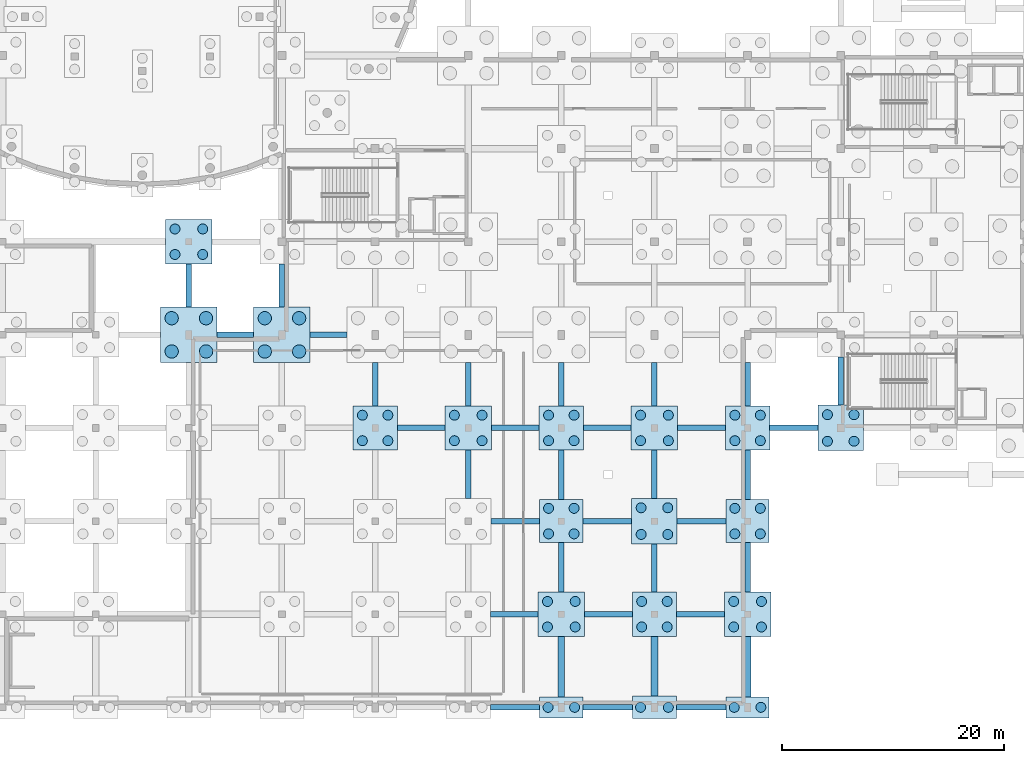
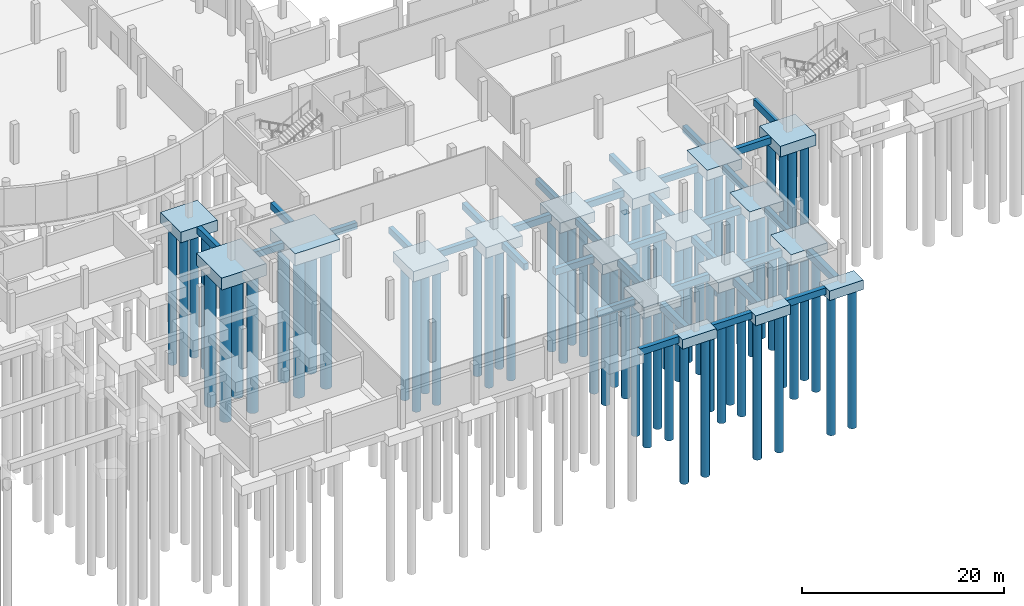
# One storey, part 4 of 24: 66 piles, 52 footings.
"""IFC4 building model written with IfcOpenShell, lengths in metres."""

import ifcopenshell
import ifcopenshell.guid

model = None  # the IFC model being written
_history = None  # IfcOwnerHistory: only IFC2X3 demands one
_inside = {}  # id of a spatial element -> (the spatial element, [elements in it])
_under = {}  # id of a project, library or spatial element -> (it, [spatial elements below it])
_declared = {}  # id of a project -> (the project, [libraries it declares])
_typed = {}  # id of a type object -> (the type object, [elements of that type])
_made_of = {}  # id of a material, layer set ... -> (it, [elements and type objects made of it])


def new_model(schema):
    """Start an empty IFC model of exactly this schema.

    Asked for "IFC4X3", IfcOpenShell would pick the latest addendum, in which some entities
    have other attributes; the version numbers below select the first issue.
    IFC2X3 requires an IfcOwnerHistory on every rooted entity: one is made here for all.
    """
    global model, _history
    if schema == "IFC4X3":
        model = ifcopenshell.file(schema_version=(4, 3, 0, 0))
    else:
        model = ifcopenshell.file(schema=schema)
    _inside.clear()
    _under.clear()
    _declared.clear()
    _typed.clear()
    _made_of.clear()
    _history = None
    if model.schema == "IFC2X3":
        org = make("IfcOrganization", Name="unknown")
        user = make(
            "IfcPersonAndOrganization",
            ThePerson=make("IfcPerson", FamilyName="unknown"),
            TheOrganization=org,
        )
        app = make(
            "IfcApplication",
            ApplicationDeveloper=org,
            Version="unknown",
            ApplicationFullName="unknown",
            ApplicationIdentifier="unknown",
        )
        _history = make(
            "IfcOwnerHistory",
            OwningUser=user,
            OwningApplication=app,
            ChangeAction="ADDED",
            CreationDate=0,
        )
    return model


def make(cls, **values):
    """One entity of the class cls with the attributes given. An attribute that is None is left unset."""
    return model.create_entity(
        cls, **{name: value for name, value in values.items() if value is not None}
    )


def rooted(cls, **values):
    """An entity with a GlobalId (a new one), such as an element, a storey or a relation."""
    return make(cls, GlobalId=ifcopenshell.guid.new(), OwnerHistory=_history, **values)


def si_unit(unit_type, name, prefix=None):
    """IfcSIUnit, for example si_unit("LENGTHUNIT", "METRE", prefix="MILLI")."""
    return make("IfcSIUnit", UnitType=unit_type, Prefix=prefix, Name=name)


def derived_unit(unit_type, elements):
    """IfcDerivedUnit: a product of units, each with its exponent."""
    return make(
        "IfcDerivedUnit",
        Elements=[
            make("IfcDerivedUnitElement", Unit=unit, Exponent=power)
            for unit, power in elements
        ],
        UnitType=unit_type,
    )


def assignment(units):
    """IfcUnitAssignment: the units of a project."""
    return None if units is None else make("IfcUnitAssignment", Units=units)


def point(xyz):
    """IfcCartesianPoint."""
    return None if xyz is None else make("IfcCartesianPoint", Coordinates=xyz)


def direction(xyz):
    """IfcDirection."""
    return None if xyz is None else make("IfcDirection", DirectionRatios=xyz)


def frame(location, z_axis=None, x_axis=None):
    """IfcAxis2Placement3D, a coordinate frame: its origin and axes. An axis left out is left unset."""
    return make(
        "IfcAxis2Placement3D",
        Location=point(location),
        Axis=direction(z_axis),
        RefDirection=direction(x_axis),
    )


def frame_2d(location, x_axis=None):
    """IfcAxis2Placement2D, a coordinate frame in the plane: its origin and x axis."""
    return make(
        "IfcAxis2Placement2D", Location=point(location), RefDirection=direction(x_axis)
    )


def origin():
    """The frame at (0, 0, 0) with its axes left unset."""
    return frame((0.0, 0.0, 0.0))


def origin_2d():
    """The frame at (0, 0) in the plane with its x axis left unset."""
    return frame_2d((0.0, 0.0))


def place(relative_to, where):
    """IfcLocalPlacement: puts the frame where relative to a parent placement (None: the world)."""
    return make(
        "IfcLocalPlacement", PlacementRelTo=relative_to, RelativePlacement=where
    )


def context(
    kind, dimensions, precision=None, world=None, true_north=None, identifier=None
):
    """IfcGeometricRepresentationContext, for example the 3D "Model" context."""
    return make(
        "IfcGeometricRepresentationContext",
        ContextIdentifier=identifier,
        ContextType=kind,
        CoordinateSpaceDimension=dimensions,
        Precision=precision,
        WorldCoordinateSystem=world,
        TrueNorth=true_north,
    )


def subcontext(parent, identifier, kind, view, scale=None):
    """IfcGeometricRepresentationSubContext, for example "Body" below "Model"."""
    return make(
        "IfcGeometricRepresentationSubContext",
        ContextIdentifier=identifier,
        ContextType=kind,
        ParentContext=parent,
        TargetScale=scale,
        TargetView=view,
    )


def project(units=None, contexts=None):
    """IfcProject with its units and contexts."""
    return rooted(
        "IfcProject",
        Name="project",
        RepresentationContexts=contexts,
        UnitsInContext=assignment(units),
    )


def spatial(cls, under=None, at=None, **own):
    """A site, building, storey or space (cls), placed at a placement, below another one or the project."""
    s = rooted(cls, ObjectPlacement=at, **own)
    if under is not None:
        _under.setdefault(under.id(), (under, []))[1].append(s)
    return s


def profile(cls, at=None, kind="AREA", **sizes):
    """A parametric profile (cls). Its sizes go by their IFC names, for example OverallWidth=200.0."""
    return make(cls, ProfileType=kind, Position=at, **sizes)


def rectangle(**sizes):
    """IfcRectangleProfileDef."""
    return profile("IfcRectangleProfileDef", **sizes)


def circle(**sizes):
    """IfcCircleProfileDef."""
    return profile("IfcCircleProfileDef", **sizes)


def extrude(swept, where, along, depth):
    """IfcExtrudedAreaSolid: the profile swept, set in the frame where, extruded along a direction by depth."""
    return make(
        "IfcExtrudedAreaSolid",
        SweptArea=swept,
        Position=where,
        ExtrudedDirection=direction(along),
        Depth=depth,
    )


def shape(context_of_items, identifier, shape_type, items):
    """IfcShapeRepresentation: the items that make up one representation, for example the "Body"."""
    return make(
        "IfcShapeRepresentation",
        ContextOfItems=context_of_items,
        RepresentationIdentifier=identifier,
        RepresentationType=shape_type,
        Items=items,
    )


def material(Name=None, Category=None):
    """IfcMaterial."""
    return make("IfcMaterial", Name=Name, Category=Category)


def layer(
    of_material, thickness, ventilated=None, Name=None, Category=None, Priority=None
):
    """IfcMaterialLayer: one layer of a wall or slab, of a material (None: an air gap)."""
    return make(
        "IfcMaterialLayer",
        Material=of_material,
        LayerThickness=thickness,
        IsVentilated=ventilated,
        Name=Name,
        Category=Category,
        Priority=Priority,
    )


def layer_set(layers, Name=None):
    """IfcMaterialLayerSet."""
    return make("IfcMaterialLayerSet", MaterialLayers=layers, LayerSetName=Name)


def material_profile(
    of_material, cross_section, Name=None, Category=None, Priority=None
):
    """IfcMaterialProfile: a cross section and its material."""
    return make(
        "IfcMaterialProfile",
        Name=Name,
        Material=of_material,
        Profile=cross_section,
        Priority=Priority,
        Category=Category,
    )


def profile_set(profiles, Name=None, composite=None):
    """IfcMaterialProfileSet."""
    return make(
        "IfcMaterialProfileSet",
        Name=Name,
        MaterialProfiles=profiles,
        CompositeProfile=composite,
    )


def made_of(thing, what):
    """Note that an element or type object is made of a material, layer set ...; save() writes the relation."""
    if what is not None:
        _made_of.setdefault(what.id(), (what, []))[1].append(thing)
    return thing


def type_object(cls, material=None, **own):
    """A type object (cls), such as IfcWallType, which elements share."""
    return made_of(rooted(cls, **own), material)


def element(
    cls,
    number,
    at=None,
    inside=None,
    cuts=None,
    type_object=None,
    material=None,
    context=None,
    identifier="Body",
    shape_type=None,
    held_by="IfcProductDefinitionShape",
    body=None,
    shapes=None,
    **own,
):
    """One element of the class cls, such as IfcWall. Its Tag is "e" and its number.

    at: its placement. inside: the storey or other place that contains it. cuts: it is an
    opening in that element (IfcRelVoidsElement). A single representation is given by context,
    identifier, shape_type and body (its items); several are given by shapes. held_by: the class
    of the entity that holds the representations. save() writes the other relations.
    """
    e = rooted(cls, Tag="e%d" % number, ObjectPlacement=at, **own)
    if body is not None:
        shapes = [shape(context, identifier, shape_type, body)]
    if shapes is not None:
        e.Representation = make(held_by, Representations=shapes)
    if inside is not None:
        _inside.setdefault(inside.id(), (inside, []))[1].append(e)
    if cuts is not None:
        rooted(
            "IfcRelVoidsElement", RelatingBuildingElement=cuts, RelatedOpeningElement=e
        )
    if type_object is not None:
        _typed.setdefault(type_object.id(), (type_object, []))[1].append(e)
    return made_of(e, material)


def aggregate(whole, parts):
    """IfcRelAggregates: a whole, such as a stair, and the parts it consists of."""
    return rooted("IfcRelAggregates", RelatingObject=whole, RelatedObjects=parts)


def save(model, path):
    """Write the relations noted so far, then the file.

    IfcRelAggregates (storeys below a building ...), IfcRelContainedInSpatialStructure (elements
    in a storey), IfcRelDefinesByType, IfcRelAssociatesMaterial and IfcRelDeclares: one each for
    every whole, place, type object, material and project.
    """
    for whole, parts in _under.values():
        aggregate(whole, parts)
    for where, things in _inside.values():
        rooted(
            "IfcRelContainedInSpatialStructure",
            RelatedElements=things,
            RelatingStructure=where,
        )
    for kind, things in _typed.values():
        rooted("IfcRelDefinesByType", RelatedObjects=things, RelatingType=kind)
    for what, things in _made_of.values():
        rooted("IfcRelAssociatesMaterial", RelatedObjects=things, RelatingMaterial=what)
    for by, libraries in _declared.values():
        rooted("IfcRelDeclares", RelatingContext=by, RelatedDefinitions=libraries)
    model.write(path)


model = new_model("IFC4")

# Units and contexts
model_context = context("Model", 3, precision=1e-05, world=origin(), true_north=direction((0.0, 1.0)))
body_context = subcontext(model_context, "Body", "Model", "MODEL_VIEW")
ifc_project = project(units=[si_unit("LENGTHUNIT", "METRE"), si_unit("AREAUNIT", "SQUARE_METRE"), si_unit("VOLUMEUNIT", "CUBIC_METRE"), si_unit("PLANEANGLEUNIT", "RADIAN"), si_unit("MASSUNIT", "GRAM", prefix="KILO"), derived_unit("THERMALTRANSMITTANCEUNIT", [(si_unit("POWERUNIT", "WATT"), 1), (si_unit("LENGTHUNIT", "METRE"), -2), (si_unit("THERMODYNAMICTEMPERATUREUNIT", "KELVIN"), -1)])], contexts=[model_context])

# Site, building, storey
site_placement = place(None, origin())
site = spatial("IfcSite", under=ifc_project, at=site_placement, CompositionType="ELEMENT")
building_placement = place(site_placement, origin())
building = spatial("IfcBuilding", under=site, at=building_placement, Name="Elbkamm Science Centre", CompositionType="ELEMENT")
storey_placement = place(building_placement, frame((0.0, 0.0, -4.800048828125)))
storey = spatial("IfcBuildingStorey", under=building, at=storey_placement, Name="B01", CompositionType="ELEMENT", Elevation=-4.800048828125)

# Footings
ifc_material = material(Name="Concrete C35/45", Category="concrete")
footing_type_1 = type_object("IfcFootingType", Name="FTG-TIE-500x800", PredefinedType="FOOTING_BEAM", material=ifc_material)
for number, where, z_axis, x_axis, name in (
    (1, (96.625, 0.0, -0.7998046875), (0.0, 0.0, 1.0), (1.0, 0.0, 0.0), "Substructure Ground Tie Beam X-006"),
    (2, (104.97509765625, 0.0, -0.7998046875), (0.0, 0.0, 1.0), (1.0, 0.0, 0.0), "Substructure Ground Tie Beam X-007"),
    (3, (113.425048828125, 0.0, -0.7998046875), (0.0, 0.0, 1.0), (1.0, 0.0, 0.0), "Substructure Ground Tie Beam X-008"),
):
    element("IfcFooting", number, at=place(storey_placement, frame(where, z_axis=z_axis, x_axis=x_axis)), inside=storey, type_object=footing_type_1, Name=name, PredefinedType="FOOTING_BEAM", context=body_context, shape_type="SweptSolid", body=[
        extrude(rectangle(XDim=4.449951171875, YDim=0.5, at=origin_2d()), origin(), (0.0, 0.0, 1.0), 0.800048828125),
    ])
for number, where, z_axis, x_axis, name in (
    (4, (96.550048828125, 8.39990234375, -1.2998046875), (0.0, 0.0, 1.0), (1.0, 0.0, 0.0), "Substructure Ground Tie Beam X-015"),
    (5, (105.050048828125, 8.39990234375, -1.2998046875), (0.0, 0.0, 1.0), (1.0, 0.0, 0.0), "Substructure Ground Tie Beam X-016"),
    (6, (113.35009765625, 8.39990234375, -1.2998046875), (0.0, 0.0, 1.0), (1.0, 0.0, 0.0), "Substructure Ground Tie Beam X-017"),
):
    element("IfcFooting", number, at=place(storey_placement, frame(where, z_axis=z_axis, x_axis=x_axis)), inside=storey, type_object=footing_type_1, Name=name, PredefinedType="FOOTING_BEAM", context=body_context, shape_type="SweptSolid", body=[
        extrude(rectangle(XDim=4.300048828125, YDim=0.5, at=origin_2d()), origin(), (0.0, 0.0, 1.0), 0.800048828125),
    ])
for number, where, z_axis, x_axis, name in (
    (7, (96.64990234375, 16.800048828125, -1.2998046875), (0.0, 0.0, 1.0), (1.0, 0.0, 0.0), "Substructure Ground Tie Beam X-026"),
    (8, (104.949951171875, 16.800048828125, -1.2998046875), (0.0, 0.0, 1.0), (1.0, 0.0, 0.0), "Substructure Ground Tie Beam X-027"),
    (9, (113.449951171875, 16.800048828125, -1.2998046875), (0.0, 0.0, 1.0), (1.0, 0.0, 0.0), "Substructure Ground Tie Beam X-028"),
):
    element("IfcFooting", number, at=place(storey_placement, frame(where, z_axis=z_axis, x_axis=x_axis)), inside=storey, type_object=footing_type_1, Name=name, PredefinedType="FOOTING_BEAM", context=body_context, shape_type="SweptSolid", body=[
        extrude(rectangle(XDim=4.39990234375, YDim=0.5, at=origin_2d()), origin(), (0.0, 0.0, 1.0), 0.800048828125),
    ])
for number, where, z_axis, x_axis, name in (
    (10, (88.14990234375, 25.199951171875, -1.2998046875), (0.0, 0.0, 1.0), (1.0, 0.0, 0.0), "Substructure Ground Tie Beam X-035"),
    (11, (96.64990234375, 25.199951171875, -1.2998046875), (0.0, 0.0, 1.0), (1.0, 0.0, 0.0), "Substructure Ground Tie Beam X-036"),
    (12, (104.949951171875, 25.199951171875, -1.2998046875), (0.0, 0.0, 1.0), (1.0, 0.0, 0.0), "Substructure Ground Tie Beam X-037"),
    (13, (113.449951171875, 25.199951171875, -1.2998046875), (0.0, 0.0, 1.0), (1.0, 0.0, 0.0), "Substructure Ground Tie Beam X-038"),
):
    element("IfcFooting", number, at=place(storey_placement, frame(where, z_axis=z_axis, x_axis=x_axis)), inside=storey, type_object=footing_type_1, Name=name, PredefinedType="FOOTING_BEAM", context=body_context, shape_type="SweptSolid", body=[
        extrude(rectangle(XDim=4.300048828125, YDim=0.5, at=origin_2d()), origin(), (0.0, 0.0, 1.0), 0.800048828125),
    ])
footing_1_placement = place(storey_placement, frame((121.77490234375, 25.199951171875, -0.7998046875), z_axis=(0.0, 0.0, 1.0), x_axis=(1.0, 0.0, 0.0)))
element("IfcFooting", 14, at=footing_1_placement, inside=storey, type_object=footing_type_1, Name="Substructure Ground Tie Beam X-039", PredefinedType="FOOTING_BEAM", context=body_context, shape_type="SweptSolid", body=[
    extrude(rectangle(XDim=4.35009765625, YDim=0.5, at=origin_2d()), origin(), (0.0, 0.0, 1.0), 0.800048828125),
])
for number, where, z_axis, x_axis, name in (
    (15, (71.39990234375, 33.60009765625, -0.7998046875), (0.0, 0.0, 1.0), (1.0, 0.0, 0.0), "Substructure Ground Tie Beam X-048"),
    (16, (79.800048828125, 33.60009765625, -1.2998046875), (0.0, 0.0, 1.0), (1.0, 0.0, 0.0), "Substructure Ground Tie Beam X-049"),
):
    element("IfcFooting", number, at=place(storey_placement, frame(where, z_axis=z_axis, x_axis=x_axis)), inside=storey, type_object=footing_type_1, Name=name, PredefinedType="FOOTING_BEAM", context=body_context, shape_type="SweptSolid", body=[
        extrude(rectangle(XDim=3.300048828125, YDim=0.5, at=origin_2d()), origin(), (0.0, 0.0, 1.0), 0.800048828125),
    ])
for number, where, z_axis, x_axis, name in (
    (17, (67.199951171875, 38.050048828125, -0.7998046875), (0.0, 0.0, 1.0), (1.0, 0.0, 0.0), "Substructure Ground Tie Beam Y-165"),
    (18, (75.60009765625, 38.050048828125, -0.7998046875), (0.0, 0.0, 1.0), (1.0, 0.0, 0.0), "Substructure Ground Tie Beam Y-170"),
    (19, (84.0, 29.14990234375, -1.2998046875), (0.0, 0.0, 1.0), (1.0, 0.0, 0.0), "Substructure Ground Tie Beam Y-176"),
):
    element("IfcFooting", number, at=place(storey_placement, frame(where, z_axis=z_axis, x_axis=x_axis)), inside=storey, type_object=footing_type_1, Name=name, PredefinedType="FOOTING_BEAM", context=body_context, shape_type="SweptSolid", body=[
        extrude(rectangle(XDim=0.5, YDim=3.89990234375, at=origin_2d()), origin(), (0.0, 0.0, 1.0), 0.800048828125),
    ])
footing_2_placement = place(storey_placement, frame((92.39990234375, 21.02490234375, -1.2998046875), z_axis=(0.0, 0.0, 1.0), x_axis=(1.0, 0.0, 0.0)))
element("IfcFooting", 20, at=footing_2_placement, inside=storey, type_object=footing_type_1, Name="Substructure Ground Tie Beam Y-181", PredefinedType="FOOTING_BEAM", context=body_context, shape_type="SweptSolid", body=[
    extrude(rectangle(XDim=0.5, YDim=4.35009765625, at=origin_2d()), origin(), (0.0, 0.0, 1.0), 0.800048828125),
])
footing_3_placement = place(storey_placement, frame((92.39990234375, 29.14990234375, -1.2998046875), z_axis=(0.0, 0.0, 1.0), x_axis=(1.0, 0.0, 0.0)))
element("IfcFooting", 21, at=footing_3_placement, inside=storey, type_object=footing_type_1, Name="Substructure Ground Tie Beam Y-182", PredefinedType="FOOTING_BEAM", context=body_context, shape_type="SweptSolid", body=[
    extrude(rectangle(XDim=0.5, YDim=3.89990234375, at=origin_2d()), origin(), (0.0, 0.0, 1.0), 0.800048828125),
])
for number, where, z_axis, x_axis, name in (
    (22, (100.800048828125, 12.625, -1.2998046875), (0.0, 0.0, 1.0), (1.0, 0.0, 0.0), "Substructure Ground Tie Beam Y-187"),
    (23, (100.800048828125, 20.97509765625, -1.2998046875), (0.0, 0.0, 1.0), (1.0, 0.0, 0.0), "Substructure Ground Tie Beam Y-188"),
):
    element("IfcFooting", number, at=place(storey_placement, frame(where, z_axis=z_axis, x_axis=x_axis)), inside=storey, type_object=footing_type_1, Name=name, PredefinedType="FOOTING_BEAM", context=body_context, shape_type="SweptSolid", body=[
        extrude(rectangle(XDim=0.5, YDim=4.449951171875, at=origin_2d()), origin(), (0.0, 0.0, 1.0), 0.800048828125),
    ])
footing_4_placement = place(storey_placement, frame((100.800048828125, 29.14990234375, -1.2998046875), z_axis=(0.0, 0.0, 1.0), x_axis=(1.0, 0.0, 0.0)))
element("IfcFooting", 24, at=footing_4_placement, inside=storey, type_object=footing_type_1, Name="Substructure Ground Tie Beam Y-189", PredefinedType="FOOTING_BEAM", context=body_context, shape_type="SweptSolid", body=[
    extrude(rectangle(XDim=0.5, YDim=3.89990234375, at=origin_2d()), origin(), (0.0, 0.0, 1.0), 0.800048828125),
])
for number, where, z_axis, x_axis, name in (
    (25, (109.199951171875, 12.574951171875, -1.2998046875), (0.0, 0.0, 1.0), (1.0, 0.0, 0.0), "Substructure Ground Tie Beam Y-194"),
    (26, (109.199951171875, 21.02490234375, -1.2998046875), (0.0, 0.0, 1.0), (1.0, 0.0, 0.0), "Substructure Ground Tie Beam Y-195"),
):
    element("IfcFooting", number, at=place(storey_placement, frame(where, z_axis=z_axis, x_axis=x_axis)), inside=storey, type_object=footing_type_1, Name=name, PredefinedType="FOOTING_BEAM", context=body_context, shape_type="SweptSolid", body=[
        extrude(rectangle(XDim=0.5, YDim=4.35009765625, at=origin_2d()), origin(), (0.0, 0.0, 1.0), 0.800048828125),
    ])
footing_5_placement = place(storey_placement, frame((109.199951171875, 29.14990234375, -1.2998046875), z_axis=(0.0, 0.0, 1.0), x_axis=(1.0, 0.0, 0.0)))
element("IfcFooting", 27, at=footing_5_placement, inside=storey, type_object=footing_type_1, Name="Substructure Ground Tie Beam Y-196", PredefinedType="FOOTING_BEAM", context=body_context, shape_type="SweptSolid", body=[
    extrude(rectangle(XDim=0.5, YDim=3.89990234375, at=origin_2d()), origin(), (0.0, 0.0, 1.0), 0.800048828125),
])
for number, where, z_axis, x_axis, name in (
    (28, (117.60009765625, 12.625, -0.7998046875), (0.0, 0.0, 1.0), (1.0, 0.0, 0.0), "Substructure Ground Tie Beam Y-201"),
    (29, (117.60009765625, 20.97509765625, -0.7998046875), (0.0, 0.0, 1.0), (1.0, 0.0, 0.0), "Substructure Ground Tie Beam Y-202"),
):
    element("IfcFooting", number, at=place(storey_placement, frame(where, z_axis=z_axis, x_axis=x_axis)), inside=storey, type_object=footing_type_1, Name=name, PredefinedType="FOOTING_BEAM", context=body_context, shape_type="SweptSolid", body=[
        extrude(rectangle(XDim=0.5, YDim=4.449951171875, at=origin_2d()), origin(), (0.0, 0.0, 1.0), 0.800048828125),
    ])
footing_6_placement = place(storey_placement, frame((117.60009765625, 29.14990234375, -0.7998046875), z_axis=(0.0, 0.0, 1.0), x_axis=(1.0, 0.0, 0.0)))
element("IfcFooting", 30, at=footing_6_placement, inside=storey, type_object=footing_type_1, Name="Substructure Ground Tie Beam Y-203", PredefinedType="FOOTING_BEAM", context=body_context, shape_type="SweptSolid", body=[
    extrude(rectangle(XDim=0.5, YDim=3.89990234375, at=origin_2d()), origin(), (0.0, 0.0, 1.0), 0.800048828125),
])
footing_7_placement = place(storey_placement, frame((126.0, 29.425048828125, -0.7998046875), z_axis=(0.0, 0.0, 1.0), x_axis=(1.0, 0.0, 0.0)))
element("IfcFooting", 31, at=footing_7_placement, inside=storey, type_object=footing_type_1, Name="Substructure Ground Tie Beam Y-206", PredefinedType="FOOTING_BEAM", context=body_context, shape_type="SweptSolid", body=[
    extrude(rectangle(XDim=0.5, YDim=4.35009765625, at=origin_2d()), origin(), (0.0, 0.0, 1.0), 0.800048828125),
])
footing_type_2 = type_object("IfcFootingType", Name="FTG-TIE-600x900", PredefinedType="FOOTING_BEAM", material=ifc_material)
footing_8_placement = place(storey_placement, frame((100.800048828125, 3.675048828125, -1.39990234375), z_axis=(0.0, 0.0, 1.0), x_axis=(1.0, 0.0, 0.0)))
element("IfcFooting", 32, at=footing_8_placement, inside=storey, type_object=footing_type_2, Name="Substructure Ground Tie Beam Y-186", PredefinedType="FOOTING_BEAM", context=body_context, shape_type="SweptSolid", body=[
    extrude(rectangle(XDim=0.60009765625, YDim=5.449951171875, at=origin_2d()), origin(), (0.0, 0.0, 1.0), 0.89990234375),
])
footing_9_placement = place(storey_placement, frame((109.199951171875, 3.699951171875, -1.39990234375), z_axis=(0.0, 0.0, 1.0), x_axis=(1.0, 0.0, 0.0)))
element("IfcFooting", 33, at=footing_9_placement, inside=storey, type_object=footing_type_2, Name="Substructure Ground Tie Beam Y-193", PredefinedType="FOOTING_BEAM", context=body_context, shape_type="SweptSolid", body=[
    extrude(rectangle(XDim=0.60009765625, YDim=5.39990234375, at=origin_2d()), origin(), (0.0, 0.0, 1.0), 0.89990234375),
])
footing_10_placement = place(storey_placement, frame((117.60009765625, 3.675048828125, -0.89990234375), z_axis=(0.0, 0.0, 1.0), x_axis=(1.0, 0.0, 0.0)))
element("IfcFooting", 34, at=footing_10_placement, inside=storey, type_object=footing_type_2, Name="Substructure Ground Tie Beam Y-200", PredefinedType="FOOTING_BEAM", context=body_context, shape_type="SweptSolid", body=[
    extrude(rectangle(XDim=0.60009765625, YDim=5.449951171875, at=origin_2d()), origin(), (0.0, 0.0, 1.0), 0.89990234375),
])
ifc_layer_1 = layer(ifc_material, 1.14990234375)
ifc_layer_set_1 = layer_set([ifc_layer_1], Name="Concrete C35/45")
footing_type_3 = type_object("IfcFootingType", Name="PC-2P-390x190x115", PredefinedType="PILE_CAP", material=ifc_layer_set_1)
for number, where, z_axis, x_axis, name in (
    (35, (100.800048828125, 0.0, -1.14990234375), (0.0, 0.0, 1.0), (1.0, 0.0, 0.0), "Pile Cap TH-PIER-S05"),
    (36, (117.60009765625, 0.0, -1.14990234375), (0.0, 0.0, 1.0), (1.0, 0.0, 0.0), "Pile Cap TH-PIER-S07"),
):
    element("IfcFooting", number, at=place(storey_placement, frame(where, z_axis=z_axis, x_axis=x_axis)), inside=storey, type_object=footing_type_3, Name=name, PredefinedType="PILE_CAP", context=body_context, shape_type="SweptSolid", body=[
        extrude(rectangle(XDim=3.89990234375, YDim=1.89990234375, at=origin_2d()), origin(), (0.0, 0.0, 1.0), 1.14990234375),
    ])
ifc_layer_2 = layer(ifc_material, 1.199951171875)
ifc_layer_set_2 = layer_set([ifc_layer_2], Name="Concrete C35/45")
footing_type_4 = type_object("IfcFootingType", Name="PC-2P-400x200x120", PredefinedType="PILE_CAP", material=ifc_layer_set_2)
footing_11_placement = place(storey_placement, frame((109.199951171875, 0.0, -1.19970703125), z_axis=(0.0, 0.0, 1.0), x_axis=(1.0, 0.0, 0.0)))
element("IfcFooting", 37, at=footing_11_placement, inside=storey, type_object=footing_type_4, Name="Pile Cap TH-PIER-S06", PredefinedType="PILE_CAP", context=body_context, shape_type="SweptSolid", body=[
    extrude(rectangle(XDim=4.0, YDim=2.0, at=origin_2d()), origin(), (0.0, 0.0, 1.0), 1.199951171875),
])
ifc_layer_3 = layer(ifc_material, 1.199951171875)
ifc_layer_set_3 = layer_set([ifc_layer_3], Name="Concrete C35/45")
footing_type_5 = type_object("IfcFootingType", Name="PC-4P-390x390x120", PredefinedType="PILE_CAP", material=ifc_layer_set_3)
for number, where, z_axis, x_axis, name in (
    (38, (100.800048828125, 16.800048828125, -1.69970703125), (0.0, 0.0, 1.0), (1.0, 0.0, 0.0), "Pile Cap GRID-13-C"),
    (39, (117.60009765625, 16.800048828125, -1.19970703125), (0.0, 0.0, 1.0), (1.0, 0.0, 0.0), "Pile Cap GRID-15-C"),
):
    element("IfcFooting", number, at=place(storey_placement, frame(where, z_axis=z_axis, x_axis=x_axis)), inside=storey, type_object=footing_type_5, Name=name, PredefinedType="PILE_CAP", context=body_context, shape_type="SweptSolid", body=[
        extrude(rectangle(XDim=3.89990234375, YDim=3.89990234375, at=origin_2d()), origin(), (0.0, 0.0, 1.0), 1.199951171875),
    ])
ifc_layer_4 = layer(ifc_material, 1.25)
ifc_layer_set_4 = layer_set([ifc_layer_4], Name="Concrete C35/45")
footing_type_6 = type_object("IfcFootingType", Name="PC-4P-400x400x125", PredefinedType="PILE_CAP", material=ifc_layer_set_4)
for number, where, z_axis, x_axis, name in (
    (40, (84.0, 25.199951171875, -1.75), (0.0, 0.0, 1.0), (1.0, 0.0, 0.0), "Pile Cap GRID-11-D"),
    (41, (100.800048828125, 25.199951171875, -1.75), (0.0, 0.0, 1.0), (1.0, 0.0, 0.0), "Pile Cap GRID-13-D"),
    (42, (109.199951171875, 8.39990234375, -1.75), (0.0, 0.0, 1.0), (1.0, 0.0, 0.0), "Pile Cap GRID-14-B"),
    (43, (117.60009765625, 25.199951171875, -1.25), (0.0, 0.0, 1.0), (1.0, 0.0, 0.0), "Pile Cap GRID-15-D"),
):
    element("IfcFooting", number, at=place(storey_placement, frame(where, z_axis=z_axis, x_axis=x_axis)), inside=storey, type_object=footing_type_6, Name=name, PredefinedType="PILE_CAP", context=body_context, shape_type="SweptSolid", body=[
        extrude(rectangle(XDim=4.0, YDim=4.0, at=origin_2d()), origin(), (0.0, 0.0, 1.0), 1.25),
    ])
ifc_layer_5 = layer(ifc_material, 1.300048828125)
ifc_layer_set_5 = layer_set([ifc_layer_5], Name="Concrete C35/45")
footing_type_7 = type_object("IfcFootingType", Name="PC-4P-410x410x130", PredefinedType="PILE_CAP", material=ifc_layer_set_5)
for number, where, z_axis, x_axis, name in (
    (44, (109.199951171875, 16.800048828125, -1.7998046875), (0.0, 0.0, 1.0), (1.0, 0.0, 0.0), "Pile Cap GRID-14-C"),
    (45, (126.0, 25.199951171875, -1.2998046875), (0.0, 0.0, 1.0), (1.0, 0.0, 0.0), "Pile Cap GRID-16-D"),
):
    element("IfcFooting", number, at=place(storey_placement, frame(where, z_axis=z_axis, x_axis=x_axis)), inside=storey, type_object=footing_type_7, Name=name, PredefinedType="PILE_CAP", context=body_context, shape_type="SweptSolid", body=[
        extrude(rectangle(XDim=4.10009765625, YDim=4.10009765625, at=origin_2d()), origin(), (0.0, 0.0, 1.0), 1.300048828125),
    ])
ifc_layer_6 = layer(ifc_material, 1.300048828125)
ifc_layer_set_6 = layer_set([ifc_layer_6], Name="Concrete C35/45")
footing_type_8 = type_object("IfcFootingType", Name="PC-4P-420x400x130", PredefinedType="PILE_CAP", material=ifc_layer_set_6)
for number, where, z_axis, x_axis, name in (
    (46, (67.199951171875, 42.0, -1.2998046875), (0.0, 0.0, 1.0), (1.0, 0.0, 0.0), "Pile Cap GRID-9-F"),
    (47, (92.39990234375, 25.199951171875, -1.7998046875), (0.0, 0.0, 1.0), (1.0, 0.0, 0.0), "Pile Cap GRID-12-D"),
    (48, (100.800048828125, 8.39990234375, -1.7998046875), (0.0, 0.0, 1.0), (1.0, 0.0, 0.0), "Pile Cap GRID-13-B"),
    (49, (109.199951171875, 25.199951171875, -1.7998046875), (0.0, 0.0, 1.0), (1.0, 0.0, 0.0), "Pile Cap GRID-14-D"),
    (50, (117.60009765625, 8.39990234375, -1.2998046875), (0.0, 0.0, 1.0), (1.0, 0.0, 0.0), "Pile Cap GRID-15-B"),
):
    element("IfcFooting", number, at=place(storey_placement, frame(where, z_axis=z_axis, x_axis=x_axis)), inside=storey, type_object=footing_type_8, Name=name, PredefinedType="PILE_CAP", context=body_context, shape_type="SweptSolid", body=[
        extrude(rectangle(XDim=4.199951171875, YDim=4.0, at=origin_2d()), origin(), (0.0, 0.0, 1.0), 1.300048828125),
    ])
ifc_layer_7 = layer(ifc_material, 1.449951171875)
ifc_layer_set_7 = layer_set([ifc_layer_7], Name="Concrete C35/45")
footing_type_9 = type_object("IfcFootingType", Name="PC-4P-510x500x145", PredefinedType="PILE_CAP", material=ifc_layer_set_7)
for number, where, z_axis, x_axis, name in (
    (51, (67.199951171875, 33.60009765625, -1.44970703125), (0.0, 0.0, 1.0), (1.0, 0.0, 0.0), "Pile Cap TH-PIER-N01"),
    (52, (75.60009765625, 33.60009765625, -1.44970703125), (0.0, 0.0, 1.0), (1.0, 0.0, 0.0), "Pile Cap TH-PIER-N02"),
):
    element("IfcFooting", number, at=place(storey_placement, frame(where, z_axis=z_axis, x_axis=x_axis)), inside=storey, type_object=footing_type_9, Name=name, PredefinedType="PILE_CAP", context=body_context, shape_type="SweptSolid", body=[
        extrude(rectangle(XDim=5.10009765625, YDim=5.0, at=origin_2d()), origin(), (0.0, 0.0, 1.0), 1.449951171875),
    ])

# Piles
ifc_material_profile_1 = material_profile(ifc_material, circle(Radius=0.60009765625, at=origin_2d()), Name="PILE D1200")
ifc_profile_set_1 = profile_set([ifc_material_profile_1], Name="Concrete C35/45")
pile_type_1 = type_object("IfcPileType", Name="PILE-BORED-1200", PredefinedType="BORED", material=ifc_profile_set_1)
for number, where, z_axis, x_axis, name in (
    (53, (65.64990234375, 32.10009765625, -1.349853515625), (0.0, 0.0, -1.0), (1.0, 0.0, 0.0), "Bored Pile TH-PIER-N01-1"),
    (54, (68.75, 32.10009765625, -1.349853515625), (0.0, 0.0, -1.0), (1.0, 0.0, 0.0), "Bored Pile TH-PIER-N01-2"),
    (55, (65.64990234375, 35.10009765625, -1.349853515625), (0.0, 0.0, -1.0), (1.0, 0.0, 0.0), "Bored Pile TH-PIER-N01-3"),
    (56, (68.75, 35.10009765625, -1.349853515625), (0.0, 0.0, -1.0), (1.0, 0.0, 0.0), "Bored Pile TH-PIER-N01-4"),
    (57, (74.050048828125, 32.10009765625, -1.349853515625), (0.0, 0.0, -1.0), (1.0, 0.0, 0.0), "Bored Pile TH-PIER-N02-1"),
    (58, (77.14990234375, 32.10009765625, -1.349853515625), (0.0, 0.0, -1.0), (1.0, 0.0, 0.0), "Bored Pile TH-PIER-N02-2"),
    (59, (74.050048828125, 35.10009765625, -1.349853515625), (0.0, 0.0, -1.0), (1.0, 0.0, 0.0), "Bored Pile TH-PIER-N02-3"),
    (60, (77.14990234375, 35.10009765625, -1.349853515625), (0.0, 0.0, -1.0), (1.0, 0.0, 0.0), "Bored Pile TH-PIER-N02-4"),
):
    element("IfcPile", number, at=place(storey_placement, frame(where, z_axis=z_axis, x_axis=x_axis)), inside=storey, type_object=pile_type_1, Name=name, PredefinedType="BORED", context=body_context, shape_type="SweptSolid", body=[
        extrude(circle(Radius=0.60009765625, at=origin_2d()), origin(), (0.0, 0.0, 1.0), 16.64990234375),
    ])
ifc_material_profile_2 = material_profile(ifc_material, circle(Radius=0.449951171875, at=origin_2d()), Name="PILE D900")
ifc_profile_set_2 = profile_set([ifc_material_profile_2], Name="Concrete C35/45")
pile_type_2 = type_object("IfcPileType", Name="PILE-BORED-900", PredefinedType="BORED", material=ifc_profile_set_2)
for number, where, z_axis, x_axis, name in (
    (61, (99.60009765625, 0.0, -1.050048828125), (0.0, 0.0, -1.0), (1.0, 0.0, 0.0), "Bored Pile TH-PIER-S05-1"),
    (62, (102.0, 0.0, -1.050048828125), (0.0, 0.0, -1.0), (1.0, 0.0, 0.0), "Bored Pile TH-PIER-S05-2"),
):
    element("IfcPile", number, at=place(storey_placement, frame(where, z_axis=z_axis, x_axis=x_axis)), inside=storey, type_object=pile_type_2, Name=name, PredefinedType="BORED", context=body_context, shape_type="SweptSolid", body=[
        extrude(circle(Radius=0.449951171875, at=origin_2d()), origin(), (0.0, 0.0, 1.0), 16.949951171875),
    ])
for number, where, z_axis, x_axis, name in (
    (63, (107.949951171875, 0.0, -1.099853515625), (0.0, 0.0, -1.0), (1.0, 0.0, 0.0), "Bored Pile TH-PIER-S06-1"),
    (64, (110.449951171875, 0.0, -1.099853515625), (0.0, 0.0, -1.0), (1.0, 0.0, 0.0), "Bored Pile TH-PIER-S06-2"),
):
    element("IfcPile", number, at=place(storey_placement, frame(where, z_axis=z_axis, x_axis=x_axis)), inside=storey, type_object=pile_type_2, Name=name, PredefinedType="BORED", context=body_context, shape_type="SweptSolid", body=[
        extrude(circle(Radius=0.449951171875, at=origin_2d()), origin(), (0.0, 0.0, 1.0), 16.89990234375),
    ])
for number, where, z_axis, x_axis, name in (
    (65, (116.39990234375, 0.0, -1.050048828125), (0.0, 0.0, -1.0), (1.0, 0.0, 0.0), "Bored Pile TH-PIER-S07-1"),
    (66, (118.800048828125, 0.0, -1.050048828125), (0.0, 0.0, -1.0), (1.0, 0.0, 0.0), "Bored Pile TH-PIER-S07-2"),
):
    element("IfcPile", number, at=place(storey_placement, frame(where, z_axis=z_axis, x_axis=x_axis)), inside=storey, type_object=pile_type_2, Name=name, PredefinedType="BORED", context=body_context, shape_type="SweptSolid", body=[
        extrude(circle(Radius=0.449951171875, at=origin_2d()), origin(), (0.0, 0.0, 1.0), 16.949951171875),
    ])
for number, where, z_axis, x_axis, name in (
    (67, (65.949951171875, 40.85009765625, -1.199951171875), (0.0, 0.0, -1.0), (1.0, 0.0, 0.0), "Bored Pile GRID-9-F-1"),
    (68, (68.449951171875, 40.85009765625, -1.199951171875), (0.0, 0.0, -1.0), (1.0, 0.0, 0.0), "Bored Pile GRID-9-F-2"),
    (69, (65.949951171875, 43.14990234375, -1.199951171875), (0.0, 0.0, -1.0), (1.0, 0.0, 0.0), "Bored Pile GRID-9-F-3"),
    (70, (68.449951171875, 43.14990234375, -1.199951171875), (0.0, 0.0, -1.0), (1.0, 0.0, 0.0), "Bored Pile GRID-9-F-4"),
):
    element("IfcPile", number, at=place(storey_placement, frame(where, z_axis=z_axis, x_axis=x_axis)), inside=storey, type_object=pile_type_2, Name=name, PredefinedType="BORED", context=body_context, shape_type="SweptSolid", body=[
        extrude(circle(Radius=0.449951171875, at=origin_2d()), origin(), (0.0, 0.0, 1.0), 16.800048828125),
    ])
for number, where, z_axis, x_axis, name in (
    (71, (82.85009765625, 24.050048828125, -1.64990234375), (0.0, 0.0, -1.0), (1.0, 0.0, 0.0), "Bored Pile GRID-11-D-1"),
    (72, (85.14990234375, 24.050048828125, -1.64990234375), (0.0, 0.0, -1.0), (1.0, 0.0, 0.0), "Bored Pile GRID-11-D-2"),
    (73, (82.85009765625, 26.35009765625, -1.64990234375), (0.0, 0.0, -1.0), (1.0, 0.0, 0.0), "Bored Pile GRID-11-D-3"),
    (74, (85.14990234375, 26.35009765625, -1.64990234375), (0.0, 0.0, -1.0), (1.0, 0.0, 0.0), "Bored Pile GRID-11-D-4"),
):
    element("IfcPile", number, at=place(storey_placement, frame(where, z_axis=z_axis, x_axis=x_axis)), inside=storey, type_object=pile_type_2, Name=name, PredefinedType="BORED", context=body_context, shape_type="SweptSolid", body=[
        extrude(circle(Radius=0.449951171875, at=origin_2d()), origin(), (0.0, 0.0, 1.0), 16.35009765625),
    ])
for number, where, z_axis, x_axis, name in (
    (75, (91.14990234375, 24.050048828125, -1.699951171875), (0.0, 0.0, -1.0), (1.0, 0.0, 0.0), "Bored Pile GRID-12-D-1"),
    (76, (93.64990234375, 24.050048828125, -1.699951171875), (0.0, 0.0, -1.0), (1.0, 0.0, 0.0), "Bored Pile GRID-12-D-2"),
    (77, (91.14990234375, 26.35009765625, -1.699951171875), (0.0, 0.0, -1.0), (1.0, 0.0, 0.0), "Bored Pile GRID-12-D-3"),
    (78, (93.64990234375, 26.35009765625, -1.699951171875), (0.0, 0.0, -1.0), (1.0, 0.0, 0.0), "Bored Pile GRID-12-D-4"),
    (79, (99.550048828125, 7.25, -1.699951171875), (0.0, 0.0, -1.0), (1.0, 0.0, 0.0), "Bored Pile GRID-13-B-1"),
    (80, (102.050048828125, 7.25, -1.699951171875), (0.0, 0.0, -1.0), (1.0, 0.0, 0.0), "Bored Pile GRID-13-B-2"),
    (81, (99.550048828125, 9.550048828125, -1.699951171875), (0.0, 0.0, -1.0), (1.0, 0.0, 0.0), "Bored Pile GRID-13-B-3"),
    (82, (102.050048828125, 9.550048828125, -1.699951171875), (0.0, 0.0, -1.0), (1.0, 0.0, 0.0), "Bored Pile GRID-13-B-4"),
):
    element("IfcPile", number, at=place(storey_placement, frame(where, z_axis=z_axis, x_axis=x_axis)), inside=storey, type_object=pile_type_2, Name=name, PredefinedType="BORED", context=body_context, shape_type="SweptSolid", body=[
        extrude(circle(Radius=0.449951171875, at=origin_2d()), origin(), (0.0, 0.0, 1.0), 16.300048828125),
    ])
for number, where, z_axis, x_axis, name in (
    (83, (99.64990234375, 15.64990234375, -1.599853515625), (0.0, 0.0, -1.0), (1.0, 0.0, 0.0), "Bored Pile GRID-13-C-1"),
    (84, (101.949951171875, 15.64990234375, -1.599853515625), (0.0, 0.0, -1.0), (1.0, 0.0, 0.0), "Bored Pile GRID-13-C-2"),
    (85, (99.64990234375, 17.949951171875, -1.599853515625), (0.0, 0.0, -1.0), (1.0, 0.0, 0.0), "Bored Pile GRID-13-C-3"),
    (86, (101.949951171875, 17.949951171875, -1.599853515625), (0.0, 0.0, -1.0), (1.0, 0.0, 0.0), "Bored Pile GRID-13-C-4"),
):
    element("IfcPile", number, at=place(storey_placement, frame(where, z_axis=z_axis, x_axis=x_axis)), inside=storey, type_object=pile_type_2, Name=name, PredefinedType="BORED", context=body_context, shape_type="SweptSolid", body=[
        extrude(circle(Radius=0.449951171875, at=origin_2d()), origin(), (0.0, 0.0, 1.0), 16.39990234375),
    ])
for number, where, z_axis, x_axis, name in (
    (87, (99.64990234375, 24.050048828125, -1.64990234375), (0.0, 0.0, -1.0), (1.0, 0.0, 0.0), "Bored Pile GRID-13-D-1"),
    (88, (101.949951171875, 24.050048828125, -1.64990234375), (0.0, 0.0, -1.0), (1.0, 0.0, 0.0), "Bored Pile GRID-13-D-2"),
    (89, (99.64990234375, 26.35009765625, -1.64990234375), (0.0, 0.0, -1.0), (1.0, 0.0, 0.0), "Bored Pile GRID-13-D-3"),
    (90, (101.949951171875, 26.35009765625, -1.64990234375), (0.0, 0.0, -1.0), (1.0, 0.0, 0.0), "Bored Pile GRID-13-D-4"),
    (91, (108.050048828125, 7.25, -1.64990234375), (0.0, 0.0, -1.0), (1.0, 0.0, 0.0), "Bored Pile GRID-14-B-1"),
    (92, (110.35009765625, 7.25, -1.64990234375), (0.0, 0.0, -1.0), (1.0, 0.0, 0.0), "Bored Pile GRID-14-B-2"),
    (93, (108.050048828125, 9.550048828125, -1.64990234375), (0.0, 0.0, -1.0), (1.0, 0.0, 0.0), "Bored Pile GRID-14-B-3"),
    (94, (110.35009765625, 9.550048828125, -1.64990234375), (0.0, 0.0, -1.0), (1.0, 0.0, 0.0), "Bored Pile GRID-14-B-4"),
):
    element("IfcPile", number, at=place(storey_placement, frame(where, z_axis=z_axis, x_axis=x_axis)), inside=storey, type_object=pile_type_2, Name=name, PredefinedType="BORED", context=body_context, shape_type="SweptSolid", body=[
        extrude(circle(Radius=0.449951171875, at=origin_2d()), origin(), (0.0, 0.0, 1.0), 16.35009765625),
    ])
for number, where, z_axis, x_axis, name in (
    (95, (108.0, 15.60009765625, -1.699951171875), (0.0, 0.0, -1.0), (1.0, 0.0, 0.0), "Bored Pile GRID-14-C-1"),
    (96, (110.39990234375, 15.60009765625, -1.699951171875), (0.0, 0.0, -1.0), (1.0, 0.0, 0.0), "Bored Pile GRID-14-C-2"),
    (97, (108.0, 18.0, -1.699951171875), (0.0, 0.0, -1.0), (1.0, 0.0, 0.0), "Bored Pile GRID-14-C-3"),
    (98, (110.39990234375, 18.0, -1.699951171875), (0.0, 0.0, -1.0), (1.0, 0.0, 0.0), "Bored Pile GRID-14-C-4"),
    (99, (107.949951171875, 24.050048828125, -1.699951171875), (0.0, 0.0, -1.0), (1.0, 0.0, 0.0), "Bored Pile GRID-14-D-1"),
    (100, (110.449951171875, 24.050048828125, -1.699951171875), (0.0, 0.0, -1.0), (1.0, 0.0, 0.0), "Bored Pile GRID-14-D-2"),
    (101, (107.949951171875, 26.35009765625, -1.699951171875), (0.0, 0.0, -1.0), (1.0, 0.0, 0.0), "Bored Pile GRID-14-D-3"),
    (102, (110.449951171875, 26.35009765625, -1.699951171875), (0.0, 0.0, -1.0), (1.0, 0.0, 0.0), "Bored Pile GRID-14-D-4"),
):
    element("IfcPile", number, at=place(storey_placement, frame(where, z_axis=z_axis, x_axis=x_axis)), inside=storey, type_object=pile_type_2, Name=name, PredefinedType="BORED", context=body_context, shape_type="SweptSolid", body=[
        extrude(circle(Radius=0.449951171875, at=origin_2d()), origin(), (0.0, 0.0, 1.0), 16.300048828125),
    ])
for number, where, z_axis, x_axis, name in (
    (103, (116.35009765625, 7.25, -1.199951171875), (0.0, 0.0, -1.0), (1.0, 0.0, 0.0), "Bored Pile GRID-15-B-1"),
    (104, (118.85009765625, 7.25, -1.199951171875), (0.0, 0.0, -1.0), (1.0, 0.0, 0.0), "Bored Pile GRID-15-B-2"),
    (105, (116.35009765625, 9.550048828125, -1.199951171875), (0.0, 0.0, -1.0), (1.0, 0.0, 0.0), "Bored Pile GRID-15-B-3"),
    (106, (118.85009765625, 9.550048828125, -1.199951171875), (0.0, 0.0, -1.0), (1.0, 0.0, 0.0), "Bored Pile GRID-15-B-4"),
):
    element("IfcPile", number, at=place(storey_placement, frame(where, z_axis=z_axis, x_axis=x_axis)), inside=storey, type_object=pile_type_2, Name=name, PredefinedType="BORED", context=body_context, shape_type="SweptSolid", body=[
        extrude(circle(Radius=0.449951171875, at=origin_2d()), origin(), (0.0, 0.0, 1.0), 16.800048828125),
    ])
for number, where, z_axis, x_axis, name in (
    (107, (116.449951171875, 15.64990234375, -1.099853515625), (0.0, 0.0, -1.0), (1.0, 0.0, 0.0), "Bored Pile GRID-15-C-1"),
    (108, (118.75, 15.64990234375, -1.099853515625), (0.0, 0.0, -1.0), (1.0, 0.0, 0.0), "Bored Pile GRID-15-C-2"),
    (109, (116.449951171875, 17.949951171875, -1.099853515625), (0.0, 0.0, -1.0), (1.0, 0.0, 0.0), "Bored Pile GRID-15-C-3"),
    (110, (118.75, 17.949951171875, -1.099853515625), (0.0, 0.0, -1.0), (1.0, 0.0, 0.0), "Bored Pile GRID-15-C-4"),
):
    element("IfcPile", number, at=place(storey_placement, frame(where, z_axis=z_axis, x_axis=x_axis)), inside=storey, type_object=pile_type_2, Name=name, PredefinedType="BORED", context=body_context, shape_type="SweptSolid", body=[
        extrude(circle(Radius=0.449951171875, at=origin_2d()), origin(), (0.0, 0.0, 1.0), 16.89990234375),
    ])
for number, where, z_axis, x_axis, name in (
    (111, (116.449951171875, 24.050048828125, -1.14990234375), (0.0, 0.0, -1.0), (1.0, 0.0, 0.0), "Bored Pile GRID-15-D-1"),
    (112, (118.75, 24.050048828125, -1.14990234375), (0.0, 0.0, -1.0), (1.0, 0.0, 0.0), "Bored Pile GRID-15-D-2"),
    (113, (116.449951171875, 26.35009765625, -1.14990234375), (0.0, 0.0, -1.0), (1.0, 0.0, 0.0), "Bored Pile GRID-15-D-3"),
    (114, (118.75, 26.35009765625, -1.14990234375), (0.0, 0.0, -1.0), (1.0, 0.0, 0.0), "Bored Pile GRID-15-D-4"),
):
    element("IfcPile", number, at=place(storey_placement, frame(where, z_axis=z_axis, x_axis=x_axis)), inside=storey, type_object=pile_type_2, Name=name, PredefinedType="BORED", context=body_context, shape_type="SweptSolid", body=[
        extrude(circle(Radius=0.449951171875, at=origin_2d()), origin(), (0.0, 0.0, 1.0), 16.85009765625),
    ])
for number, where, z_axis, x_axis, name in (
    (115, (124.800048828125, 24.0, -1.199951171875), (0.0, 0.0, -1.0), (1.0, 0.0, 0.0), "Bored Pile GRID-16-D-1"),
    (116, (127.199951171875, 24.0, -1.199951171875), (0.0, 0.0, -1.0), (1.0, 0.0, 0.0), "Bored Pile GRID-16-D-2"),
    (117, (124.800048828125, 26.39990234375, -1.199951171875), (0.0, 0.0, -1.0), (1.0, 0.0, 0.0), "Bored Pile GRID-16-D-3"),
    (118, (127.199951171875, 26.39990234375, -1.199951171875), (0.0, 0.0, -1.0), (1.0, 0.0, 0.0), "Bored Pile GRID-16-D-4"),
):
    element("IfcPile", number, at=place(storey_placement, frame(where, z_axis=z_axis, x_axis=x_axis)), inside=storey, type_object=pile_type_2, Name=name, PredefinedType="BORED", context=body_context, shape_type="SweptSolid", body=[
        extrude(circle(Radius=0.449951171875, at=origin_2d()), origin(), (0.0, 0.0, 1.0), 16.800048828125),
    ])

save(model, "model.ifc")
